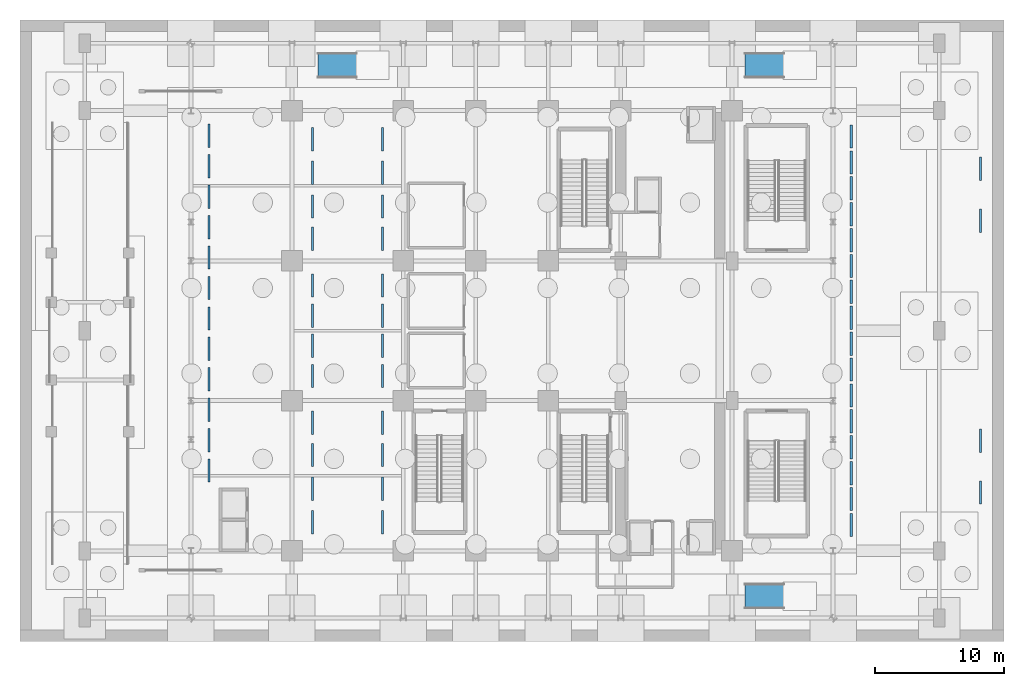
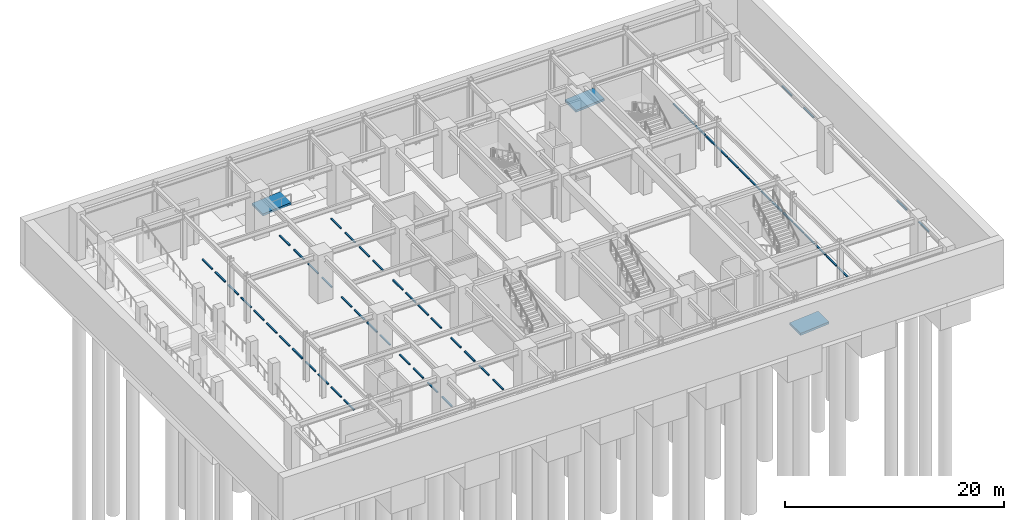
# One storey, part 9 of 14: 56 discrete accessories, 3 ramp flights, 3 elements without a shape of their own.
"""IFC4 building model written with IfcOpenShell, lengths in metres."""

from ifc_helpers import new_model, si_unit, direction, frame, origin, origin_2d, place, context, subcontext, project, spatial, polyline, rectangle, outline, extrude, source, transform, mapped, material, layer, layer_set, type_object, element, aggregate, save


model = new_model("IFC4")

# Units and contexts
model_context = context("Model", 3, precision=1e-05, world=origin(), true_north=direction((0.0, 1.0)))
body_context = subcontext(model_context, "Body", "Model", "MODEL_VIEW")
ifc_project = project(units=[si_unit("LENGTHUNIT", "METRE"), si_unit("AREAUNIT", "SQUARE_METRE"), si_unit("VOLUMEUNIT", "CUBIC_METRE"), si_unit("PLANEANGLEUNIT", "RADIAN"), si_unit("MASSUNIT", "GRAM", prefix="KILO")], contexts=[model_context])

# Site, building, storey
site_placement = place(None, origin())
site = spatial("IfcSite", under=ifc_project, at=site_placement, CompositionType="ELEMENT")
building_placement = place(site_placement, origin())
building = spatial("IfcBuilding", under=site, at=building_placement, Name="Nahalor Promenade Grand Hotel", CompositionType="ELEMENT")
storey_placement = place(building_placement, frame((0.0, 0.0, -10.800048828125)))
storey = spatial("IfcBuildingStorey", under=building, at=storey_placement, Name="B02", CompositionType="ELEMENT", Elevation=-10.800048828125)

# Ramp, ramp flight
ifc_material_1 = material(Name="Concrete B-50 (C40/50)", Category="concrete")
ramp_type = type_object("IfcRampType", Name="Ramp-Service-2000", PredefinedType="STRAIGHT_RUN_RAMP", material=ifc_material_1)
ramp_1_placement = place(storey_placement, origin())
ramp_1 = element("IfcRamp", 1, at=ramp_1_placement, inside=storey, type_object=ramp_type, Name="B02 Accessible Service Ramp 1", PredefinedType="STRAIGHT_RUN_RAMP")
ifc_layer = layer(ifc_material_1, 0.239990234375)
ifc_layer_set = layer_set([ifc_layer], Name="Concrete B-50 (C40/50)")
ramp_flight_type = type_object("IfcRampFlightType", Name="RampFlight-Service-240", PredefinedType="STRAIGHT", material=ifc_layer_set)
ramp_flight_1_placement = place(storey_placement, frame((18.0, -21.5, 0.0), z_axis=(-0.083045479854, 0.0, 0.996545758245), x_axis=(0.0, 1.0, 0.0)))
ramp_flight_1 = element("IfcRampFlight", 2, at=ramp_flight_1_placement, type_object=ramp_flight_type, Name="B02 Accessible Service Ramp Flight 1", PredefinedType="STRAIGHT", context=body_context, shape_type="SweptSolid", body=[
    extrude(outline(polyline([(0.0, 0.0), (2.0, 0.0), (2.0, -3.0103986446980735), (0.0, -3.0103986446980735), (0.0, 0.0)])), origin(), (0.0, 0.083045479854, -0.996545758245), 0.24072265625),
])
aggregate(ramp_1, [ramp_flight_1])

ramp_2_placement = place(storey_placement, origin())
ramp_2 = element("IfcRamp", 3, at=ramp_2_placement, inside=storey, type_object=ramp_type, Name="B02 Accessible Service Ramp 2", PredefinedType="STRAIGHT_RUN_RAMP")
ramp_flight_2_placement = place(storey_placement, frame((18.0, 19.5, 0.0), z_axis=(-0.083045479854, 0.0, 0.996545758245), x_axis=(0.0, 1.0, 0.0)))
ramp_flight_2 = element("IfcRampFlight", 4, at=ramp_flight_2_placement, type_object=ramp_flight_type, Name="B02 Accessible Service Ramp Flight 2", PredefinedType="STRAIGHT", context=body_context, shape_type="SweptSolid", body=[
    extrude(outline(polyline([(0.0, 0.0), (2.0, 0.0), (2.0, -3.0103986446980735), (0.0, -3.0103986446980735), (0.0, 0.0)])), origin(), (0.0, 0.083045479854, -0.996545758245), 0.24072265625),
])
aggregate(ramp_2, [ramp_flight_2])

ramp_3_placement = place(storey_placement, origin())
ramp_3 = element("IfcRamp", 5, at=ramp_3_placement, inside=storey, type_object=ramp_type, Name="B02 Accessible Service Ramp 3", PredefinedType="STRAIGHT_RUN_RAMP")
ramp_flight_3_placement = place(storey_placement, frame((-15.0, 19.5, 0.0), z_axis=(-0.083045479854, 0.0, 0.996545758245), x_axis=(0.0, 1.0, 0.0)))
ramp_flight_3 = element("IfcRampFlight", 6, at=ramp_flight_3_placement, type_object=ramp_flight_type, Name="B02 Accessible Service Ramp Flight 3", PredefinedType="STRAIGHT", context=body_context, shape_type="SweptSolid", body=[
    extrude(outline(polyline([(0.0, 0.0), (2.0, 0.0), (2.0, -3.0103986446980735), (0.0, -3.0103986446980735), (0.0, 0.0)])), origin(), (0.0, 0.083045479854, -0.996545758245), 0.24072265625),
])
aggregate(ramp_3, [ramp_flight_3])

# Discrete accessories
ifc_material_2 = material(Name="Concrete B-40 (C32/40)", Category="concrete")
discrete_accessory_type = type_object("IfcDiscreteAccessoryType", Name="Acc-ParkingWheelStop", PredefinedType="USERDEFINED", material=ifc_material_2)
shared_shape = source(origin(), body_context, "Body", "SweptSolid", [
    extrude(rectangle(XDim=1.800048828125, YDim=0.159912109375, at=origin_2d()), origin(), (0.0, 0.0, 1.0), 0.1201171875),
])
for number, where, z_axis, x_axis, name in (
    (7, (-23.39990234375, -10.800048828125, 0.0), (0.0, 0.0, 1.0), (0.0, 1.0, 0.0), "B02 Accessible Parking Bay Wheel Stop 01"),
    (8, (-23.39990234375, -8.449951171875, 0.0), (0.0, 0.0, 1.0), (0.0, 1.0, 0.0), "B02 Accessible Parking Bay Wheel Stop 02"),
    (9, (-23.39990234375, -6.10009765625, 0.0), (0.0, 0.0, 1.0), (0.0, 1.0, 0.0), "B02 Accessible Parking Bay Wheel Stop 03"),
    (10, (-23.39990234375, -3.75, 0.0), (0.0, 0.0, 1.0), (0.0, 1.0, 0.0), "B02 Accessible Parking Bay Wheel Stop 04"),
    (11, (-23.39990234375, -1.39990234375, 0.0), (0.0, 0.0, 1.0), (0.0, 1.0, 0.0), "B02 Parking Bay Wheel Stop 05"),
    (12, (-23.39990234375, 0.949951171875, 0.0), (0.0, 0.0, 1.0), (0.0, 1.0, 0.0), "B02 Parking Bay Wheel Stop 06"),
    (13, (-23.39990234375, 3.300048828125, 0.0), (0.0, 0.0, 1.0), (0.0, 1.0, 0.0), "B02 Parking Bay Wheel Stop 07"),
    (14, (-23.39990234375, 5.64990234375, 0.0), (0.0, 0.0, 1.0), (0.0, 1.0, 0.0), "B02 Parking Bay Wheel Stop 08"),
    (15, (-23.39990234375, 8.0, 0.0), (0.0, 0.0, 1.0), (0.0, 1.0, 0.0), "B02 Parking Bay Wheel Stop 09"),
    (16, (-23.39990234375, 10.35009765625, 0.0), (0.0, 0.0, 1.0), (0.0, 1.0, 0.0), "B02 Parking Bay Wheel Stop 10"),
    (17, (-23.39990234375, 12.699951171875, 0.0), (0.0, 0.0, 1.0), (0.0, 1.0, 0.0), "B02 Parking Bay Wheel Stop 11"),
    (18, (-23.39990234375, 15.050048828125, 0.0), (0.0, 0.0, 1.0), (0.0, 1.0, 0.0), "B02 Parking Bay Wheel Stop 12"),
    (19, (-15.39990234375, -14.800048828125, 0.0), (0.0, 0.0, 1.0), (0.0, 1.0, 0.0), "B02 Parking Bay Wheel Stop 13"),
    (20, (-15.39990234375, -12.199951171875, 0.0), (0.0, 0.0, 1.0), (0.0, 1.0, 0.0), "B02 Parking Bay Wheel Stop 14"),
    (21, (-15.39990234375, -9.60009765625, 0.0), (0.0, 0.0, 1.0), (0.0, 1.0, 0.0), "B02 Parking Bay Wheel Stop 15"),
    (22, (-15.39990234375, -7.10009765625, 0.0), (0.0, 0.0, 1.0), (0.0, 1.0, 0.0), "B02 Parking Bay Wheel Stop 16"),
    (23, (-15.39990234375, -3.5, 0.0), (0.0, 0.0, 1.0), (0.0, 1.0, 0.0), "B02 Parking Bay Wheel Stop 17"),
    (24, (-15.39990234375, -1.14990234375, 0.0), (0.0, 0.0, 1.0), (0.0, 1.0, 0.0), "B02 Parking Bay Wheel Stop 18"),
    (25, (-15.39990234375, 1.14990234375, 0.0), (0.0, 0.0, 1.0), (0.0, 1.0, 0.0), "B02 Parking Bay Wheel Stop 19"),
    (26, (-15.39990234375, 3.5, 0.0), (0.0, 0.0, 1.0), (0.0, 1.0, 0.0), "B02 Parking Bay Wheel Stop 20"),
    (27, (-15.39990234375, 7.10009765625, 0.0), (0.0, 0.0, 1.0), (0.0, 1.0, 0.0), "B02 Parking Bay Wheel Stop 21"),
    (28, (-15.39990234375, 9.60009765625, 0.0), (0.0, 0.0, 1.0), (0.0, 1.0, 0.0), "B02 Parking Bay Wheel Stop 22"),
    (29, (-15.39990234375, 12.199951171875, 0.0), (0.0, 0.0, 1.0), (0.0, 1.0, 0.0), "B02 Parking Bay Wheel Stop 23"),
    (30, (-15.39990234375, 14.800048828125, 0.0), (0.0, 0.0, 1.0), (0.0, 1.0, 0.0), "B02 Parking Bay Wheel Stop 24"),
    (31, (-10.0, -14.800048828125, 0.0), (0.0, 0.0, 1.0), (0.0, 1.0, 0.0), "B02 Parking Bay Wheel Stop 25"),
    (32, (-10.0, -12.199951171875, 0.0), (0.0, 0.0, 1.0), (0.0, 1.0, 0.0), "B02 Parking Bay Wheel Stop 26"),
    (33, (-10.0, -9.60009765625, 0.0), (0.0, 0.0, 1.0), (0.0, 1.0, 0.0), "B02 Parking Bay Wheel Stop 27"),
    (34, (-10.0, -7.10009765625, 0.0), (0.0, 0.0, 1.0), (0.0, 1.0, 0.0), "B02 Parking Bay Wheel Stop 28"),
    (35, (-10.0, -3.5, 0.0), (0.0, 0.0, 1.0), (0.0, 1.0, 0.0), "B02 Parking Bay Wheel Stop 29"),
    (36, (-10.0, -1.14990234375, 0.0), (0.0, 0.0, 1.0), (0.0, 1.0, 0.0), "B02 Parking Bay Wheel Stop 30"),
    (37, (-10.0, 1.14990234375, 0.0), (0.0, 0.0, 1.0), (0.0, 1.0, 0.0), "B02 Parking Bay Wheel Stop 31"),
    (38, (-10.0, 3.5, 0.0), (0.0, 0.0, 1.0), (0.0, 1.0, 0.0), "B02 Parking Bay Wheel Stop 32"),
    (39, (-10.0, 7.10009765625, 0.0), (0.0, 0.0, 1.0), (0.0, 1.0, 0.0), "B02 Parking Bay Wheel Stop 33"),
    (40, (-10.0, 9.60009765625, 0.0), (0.0, 0.0, 1.0), (0.0, 1.0, 0.0), "B02 Parking Bay Wheel Stop 34"),
    (41, (-10.0, 12.199951171875, 0.0), (0.0, 0.0, 1.0), (0.0, 1.0, 0.0), "B02 Parking Bay Wheel Stop 35"),
    (42, (-10.0, 14.800048828125, 0.0), (0.0, 0.0, 1.0), (0.0, 1.0, 0.0), "B02 Parking Bay Wheel Stop 36"),
    (43, (26.199951171875, -15.0, 0.0), (0.0, 0.0, 1.0), (0.0, 1.0, 0.0), "B02 Parking Bay Wheel Stop 37"),
    (44, (26.199951171875, -13.0, 0.0), (0.0, 0.0, 1.0), (0.0, 1.0, 0.0), "B02 Parking Bay Wheel Stop 38"),
    (45, (26.199951171875, -11.0, 0.0), (0.0, 0.0, 1.0), (0.0, 1.0, 0.0), "B02 Parking Bay Wheel Stop 39"),
    (46, (26.199951171875, -9.0, 0.0), (0.0, 0.0, 1.0), (0.0, 1.0, 0.0), "B02 Parking Bay Wheel Stop 40"),
    (47, (26.199951171875, -7.0, 0.0), (0.0, 0.0, 1.0), (0.0, 1.0, 0.0), "B02 Parking Bay Wheel Stop 41"),
    (48, (26.199951171875, -5.0, 0.0), (0.0, 0.0, 1.0), (0.0, 1.0, 0.0), "B02 Parking Bay Wheel Stop 42"),
    (49, (26.199951171875, -3.0, 0.0), (0.0, 0.0, 1.0), (0.0, 1.0, 0.0), "B02 Parking Bay Wheel Stop 43"),
    (50, (26.199951171875, -1.0, 0.0), (0.0, 0.0, 1.0), (0.0, 1.0, 0.0), "B02 Parking Bay Wheel Stop 44"),
    (51, (26.199951171875, 1.0, 0.0), (0.0, 0.0, 1.0), (0.0, 1.0, 0.0), "B02 Parking Bay Wheel Stop 45"),
    (52, (26.199951171875, 3.0, 0.0), (0.0, 0.0, 1.0), (0.0, 1.0, 0.0), "B02 Parking Bay Wheel Stop 46"),
    (53, (26.199951171875, 5.0, 0.0), (0.0, 0.0, 1.0), (0.0, 1.0, 0.0), "B02 Parking Bay Wheel Stop 47"),
    (54, (26.199951171875, 7.0, 0.0), (0.0, 0.0, 1.0), (0.0, 1.0, 0.0), "B02 Parking Bay Wheel Stop 48"),
    (55, (26.199951171875, 9.0, 0.0), (0.0, 0.0, 1.0), (0.0, 1.0, 0.0), "B02 Parking Bay Wheel Stop 49"),
    (56, (26.199951171875, 11.0, 0.0), (0.0, 0.0, 1.0), (0.0, 1.0, 0.0), "B02 Parking Bay Wheel Stop 50"),
    (57, (26.199951171875, 13.0, 0.0), (0.0, 0.0, 1.0), (0.0, 1.0, 0.0), "B02 Parking Bay Wheel Stop 51"),
    (58, (26.199951171875, 15.0, 0.0), (0.0, 0.0, 1.0), (0.0, 1.0, 0.0), "B02 Parking Bay Wheel Stop 52"),
    (59, (36.199951171875, -12.5, 0.0), (0.0, 0.0, 1.0), (0.0, 1.0, 0.0), "B02 Parking Bay Wheel Stop 53"),
    (60, (36.199951171875, -8.5, 0.0), (0.0, 0.0, 1.0), (0.0, 1.0, 0.0), "B02 Parking Bay Wheel Stop 54"),
    (61, (36.199951171875, 8.5, 0.0), (0.0, 0.0, 1.0), (0.0, 1.0, 0.0), "B02 Parking Bay Wheel Stop 55"),
    (62, (36.199951171875, 12.5, 0.0), (0.0, 0.0, 1.0), (0.0, 1.0, 0.0), "B02 Parking Bay Wheel Stop 56"),
):
    element("IfcDiscreteAccessory", number, at=place(storey_placement, frame(where, z_axis=z_axis, x_axis=x_axis)), inside=storey, type_object=discrete_accessory_type, Name=name, ObjectType="WHEEL_STOP", PredefinedType="USERDEFINED", context=body_context, shape_type="MappedRepresentation", body=[
        mapped(shared_shape, transform((0.0, 0.0, 0.0), scale=1.0)),
    ])

save(model, "model.ifc")
